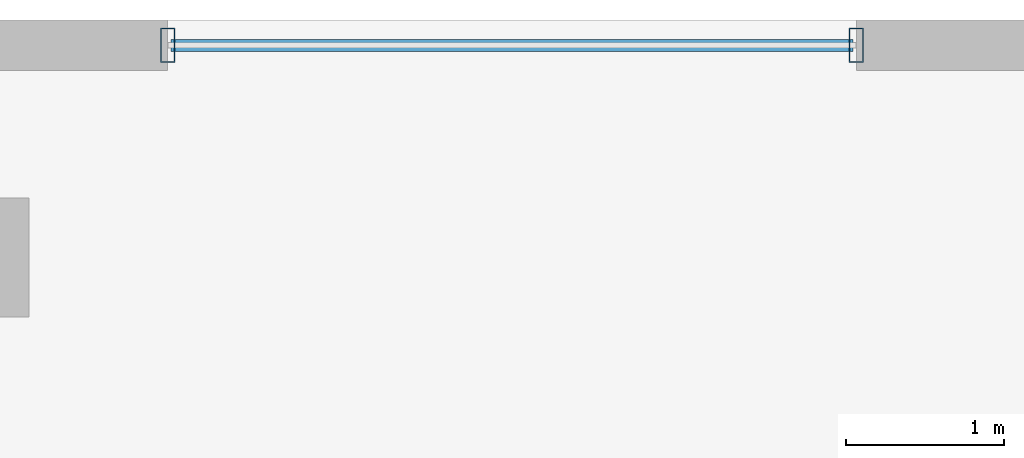
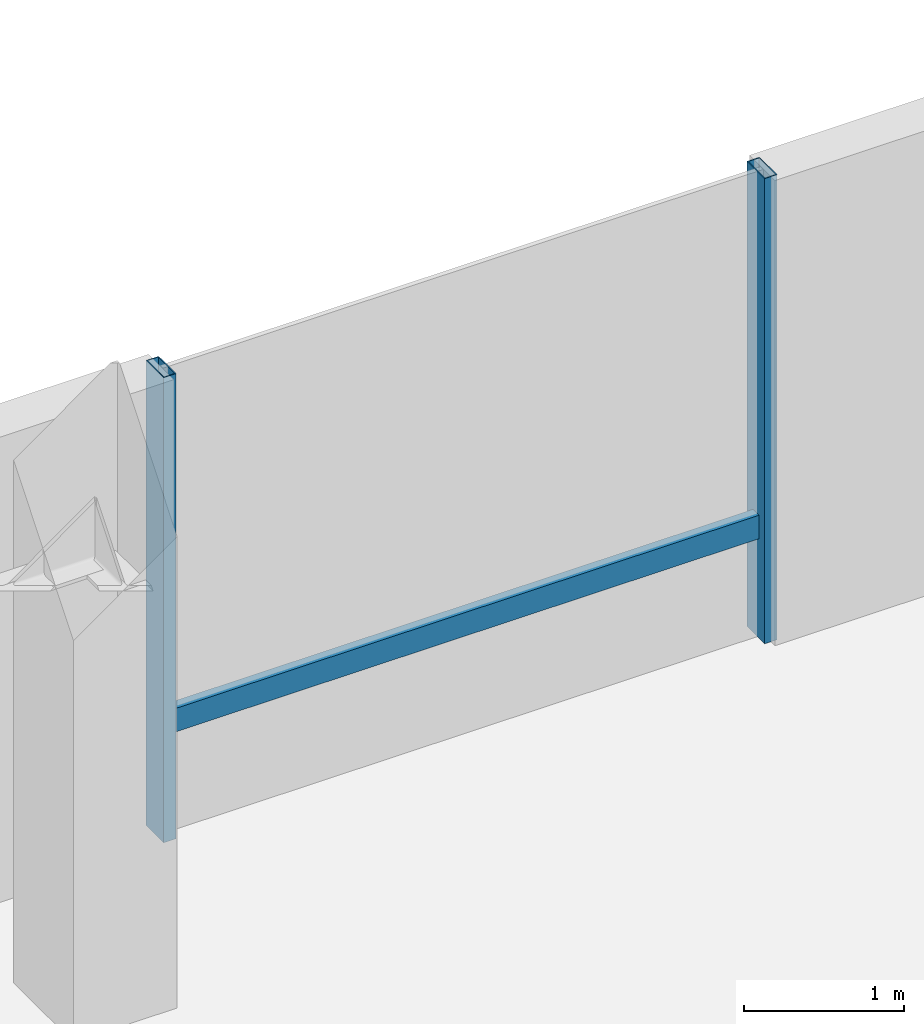
# One storey, part 10 of 24: 3 members, 1 element without a shape of its own.
"""IFC4 building model written with IfcOpenShell, lengths in metres."""

from ifc_helpers import new_model, si_unit, direction, frame, origin, origin_2d, place, context, subcontext, project, spatial, hollow_rectangle, extrude, material, material_profile, profile_set, type_object, element, aggregate, save


model = new_model("IFC4")

# Units and contexts
model_context = context("Model", 3, precision=1e-05, world=origin(), true_north=direction((0.0, 1.0)))
body_context = subcontext(model_context, "Body", "Model", "MODEL_VIEW")
ifc_project = project(units=[si_unit("LENGTHUNIT", "METRE"), si_unit("AREAUNIT", "SQUARE_METRE"), si_unit("VOLUMEUNIT", "CUBIC_METRE"), si_unit("PLANEANGLEUNIT", "RADIAN"), si_unit("MASSUNIT", "GRAM", prefix="KILO")], contexts=[model_context])

# Site, building, storey
site_placement = place(None, origin())
site = spatial("IfcSite", under=ifc_project, at=site_placement, CompositionType="ELEMENT")
building_placement = place(site_placement, origin())
building = spatial("IfcBuilding", under=site, at=building_placement, Name="Thornwick Lancets Civic Towers", CompositionType="ELEMENT")
storey_placement = place(building_placement, frame((0.0, 0.0, 14.10009765625)))
storey = spatial("IfcBuildingStorey", under=building, at=storey_placement, Name="L03", CompositionType="ELEMENT", Elevation=14.10009765625)

# Curtain wall, members
ifc_material_1 = material(Name="Terracotta-trimmed cascading podium ribbon curtain wall", Category="masonry")
curtain_wall_type = type_object("IfcCurtainWallType", Name="CW_SYS_02", PredefinedType="NOTDEFINED", material=ifc_material_1)
curtain_wall_placement = place(storey_placement, origin())
curtain_wall = element("IfcCurtainWall", 1, at=curtain_wall_placement, inside=storey, type_object=curtain_wall_type, Name="L03 Curtain Wall CW-L03-POD-NC-S1", PredefinedType="NOTDEFINED")
ifc_material_2 = material(Name="Thermally broken bronze aluminium S355", Category="steel")
ifc_material_profile_1 = material_profile(ifc_material_2, hollow_rectangle(XDim=0.090087890625, YDim=0.219970703125, WallThickness=0.00634765625, at=origin_2d()), Name="RHS 220x90x6.3")
ifc_profile_set_1 = profile_set([ifc_material_profile_1], Name="Thermally broken bronze aluminium S355")
member_type_1 = type_object("IfcMemberType", Name="CW_MUL_220", PredefinedType="MULLION", material=ifc_profile_set_1)
member_1_placement = place(storey_placement, frame((71.60009765625, 49.340087890625, 0.0), z_axis=(0.0, 0.0, 1.0), x_axis=(1.0, 0.0, 0.0)))
member_1 = element("IfcMember", 2, at=member_1_placement, type_object=member_type_1, Name="CW-L03-POD-NC-S1 Mullion 0", PredefinedType="MULLION", context=body_context, shape_type="SweptSolid", body=[
    extrude(hollow_rectangle(XDim=0.090087890625, YDim=0.219970703125, WallThickness=0.00634765625, at=origin_2d()), origin(), (0.0, 0.0, 1.0), 3.559814453125),
])
member_2_placement = place(storey_placement, frame((67.25, 49.340087890625, 0.0), z_axis=(0.0, 0.0, 1.0), x_axis=(1.0, 0.0, 0.0)))
member_2 = element("IfcMember", 3, at=member_2_placement, type_object=member_type_1, Name="CW-L03-POD-NC-S1 Mullion 1", PredefinedType="MULLION", context=body_context, shape_type="SweptSolid", body=[
    extrude(hollow_rectangle(XDim=0.090087890625, YDim=0.219970703125, WallThickness=0.00634765625, at=origin_2d()), origin(), (0.0, 0.0, 1.0), 3.559814453125),
])
ifc_material_profile_2 = material_profile(ifc_material_2, hollow_rectangle(XDim=0.074951171875, YDim=0.179931640625, WallThickness=0.006103515625, at=origin_2d()), Name="RHS 180x75x6")
ifc_profile_set_2 = profile_set([ifc_material_profile_2], Name="Thermally broken bronze aluminium S355")
member_type_2 = type_object("IfcMemberType", Name="CW_TRN_180", PredefinedType="USERDEFINED", material=ifc_profile_set_2)
member_3_placement = place(storey_placement, frame((71.580078125, 49.340087890625, 0.849853515625), z_axis=(-1.0, 0.0, 0.0), x_axis=(0.0, -1.0, 0.0)))
member_3 = element("IfcMember", 4, at=member_3_placement, type_object=member_type_2, Name="CW-L03-POD-NC-S1 Transom 0", ObjectType="TRANSOM", PredefinedType="USERDEFINED", context=body_context, shape_type="SweptSolid", body=[
    extrude(hollow_rectangle(XDim=0.074951171875, YDim=0.179931640625, WallThickness=0.006103515625, at=origin_2d()), origin(), (0.0, 0.0, 1.0), 4.31005859375),
])
aggregate(curtain_wall, [member_1, member_2, member_3])

save(model, "model.ifc")
